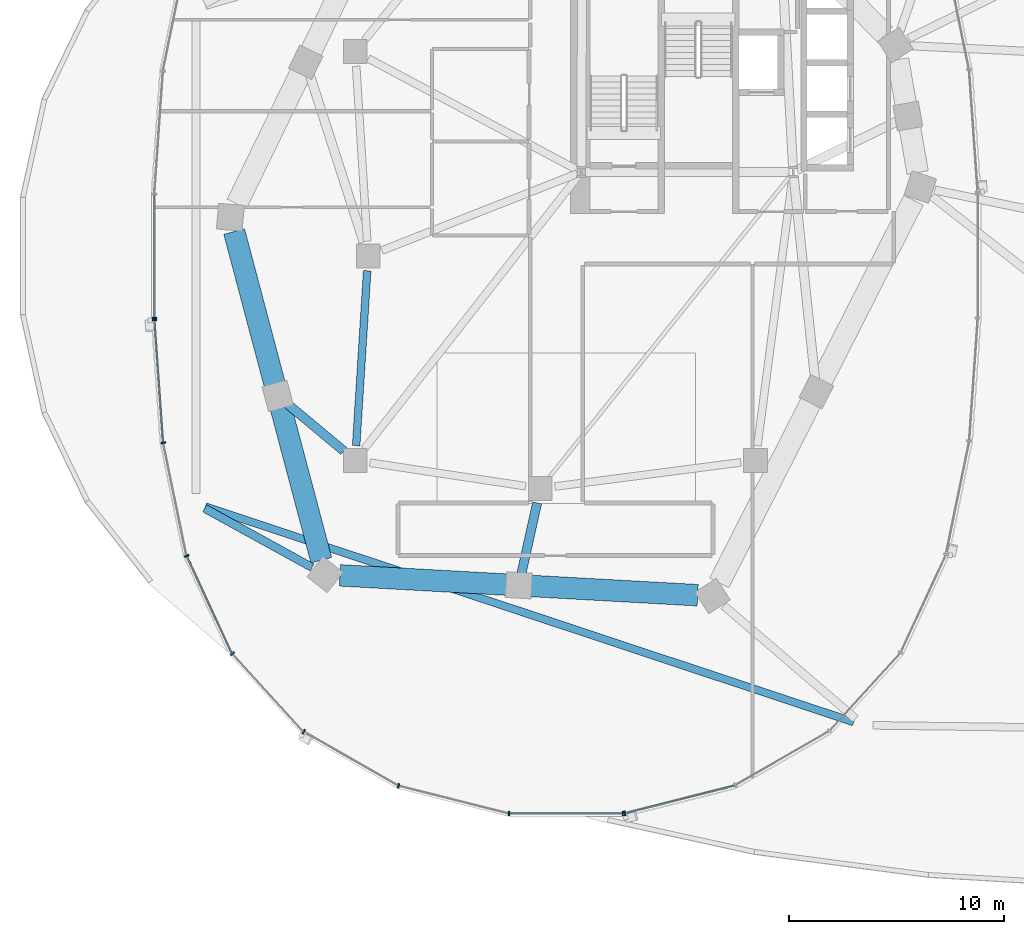
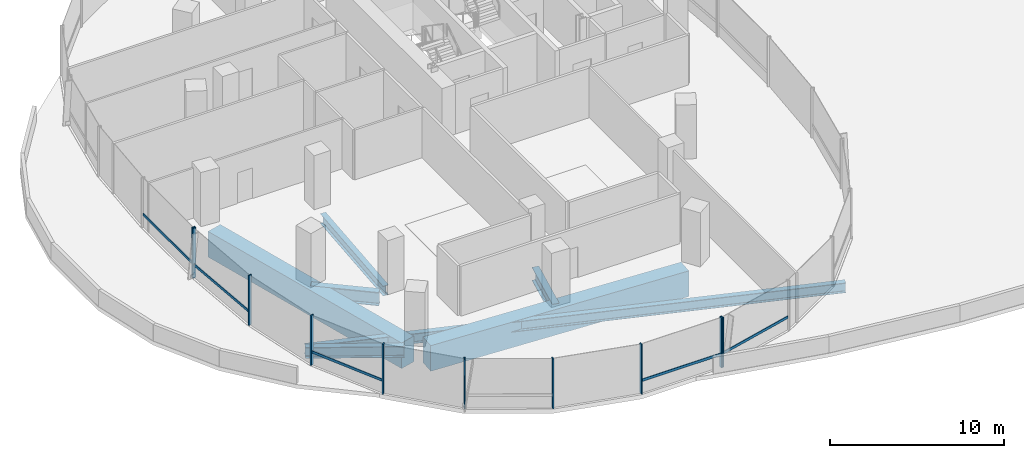
# One storey, part 2 of 28: 15 members, 7 beams, 3 elements without a shape of their own.
"""IFC4 building model written with IfcOpenShell, lengths in metres."""

from ifc_helpers import new_model, si_unit, direction, frame, origin, origin_2d, place, context, subcontext, project, spatial, rectangle, i_section, extrude, material, material_profile, profile_set, type_object, element, aggregate, save


model = new_model("IFC4")

# Units and contexts
model_context = context("Model", 3, precision=1e-05, world=origin(), true_north=direction((0.0, 1.0)))
body_context = subcontext(model_context, "Body", "Model", "MODEL_VIEW")
ifc_project = project(units=[si_unit("LENGTHUNIT", "METRE"), si_unit("AREAUNIT", "SQUARE_METRE"), si_unit("VOLUMEUNIT", "CUBIC_METRE"), si_unit("PLANEANGLEUNIT", "RADIAN"), si_unit("MASSUNIT", "GRAM", prefix="KILO"), si_unit("THERMODYNAMICTEMPERATUREUNIT", "KELVIN"), si_unit("POWERUNIT", "WATT")], contexts=[model_context])

# Site, building, storey
site_placement = place(None, origin())
site = spatial("IfcSite", under=ifc_project, at=site_placement, CompositionType="ELEMENT")
building_placement = place(site_placement, origin())
building = spatial("IfcBuilding", under=site, at=building_placement, Name="Cundina Bronze Exchange", CompositionType="ELEMENT")
storey_placement = place(building_placement, frame((0.0, 0.0, 24.0)))
storey = spatial("IfcBuildingStorey", under=building, at=storey_placement, Name="L05", CompositionType="ELEMENT", Elevation=24.0)

# Beams
ifc_material_1 = material(Name="Steel ASTM A992 Grade 50", Category="steel")
ifc_material_profile_1 = material_profile(ifc_material_1, i_section(OverallWidth=0.35498046875, OverallDepth=0.695068359375, WebThickness=0.015380859375, FlangeThickness=0.02490234375, FilletRadius=0.01806640625, at=origin_2d()), Name="W27X146", Category="steel")
ifc_profile_set_1 = profile_set([ifc_material_profile_1], Name="Steel ASTM A992 Grade 50")
beam_type_1 = type_object("IfcBeamType", Name="BM-RING-W27", PredefinedType="USERDEFINED", material=ifc_profile_set_1)
beam_1_placement = place(storey_placement, frame((-41.243408203125, -0.6865234375, -0.6474609375), z_axis=(-0.063020359641, -0.998012241544, 0.0), x_axis=(0.998012241544, -0.063020359641, 0.0)))
element("IfcBeam", 1, at=beam_1_placement, inside=storey, type_object=beam_type_1, Name="L05 W Inner Structural Ring Girder 04", ObjectType="GIRDER", PredefinedType="USERDEFINED", context=body_context, shape_type="SweptSolid", body=[
    extrude(i_section(OverallWidth=0.35498046875, OverallDepth=0.695068359375, WebThickness=0.015380859375, FlangeThickness=0.02490234375, FilletRadius=0.01806640625, at=origin_2d()), origin(), (0.0, 0.0, 1.0), 8.14306640625),
])
beam_2_placement = place(storey_placement, frame((-48.760498046875, -11.64599609375, -0.652587890625), z_axis=(0.948988221708, -0.315311520656, 0.0), x_axis=(0.315311520656, 0.948988221708, 0.0)))
element("IfcBeam", 2, at=beam_2_placement, inside=storey, type_object=beam_type_1, Name="L05 Podium Roof Edge Girder 06", ObjectType="GIRDER", PredefinedType="USERDEFINED", context=body_context, shape_type="SweptSolid", body=[
    extrude(i_section(OverallWidth=0.35498046875, OverallDepth=0.695068359375, WebThickness=0.015380859375, FlangeThickness=0.02490234375, FilletRadius=0.01806640625, at=origin_2d()), origin(), (0.0, 0.0, 1.0), 31.740234375),
])
ifc_material_profile_2 = material_profile(ifc_material_1, i_section(OverallWidth=0.381103515625, OverallDepth=0.77294921875, WebThickness=0.0166015625, FlangeThickness=0.027099609375, FilletRadius=0.01904296875, at=origin_2d()), Name="W30X173", Category="steel")
ifc_profile_set_2 = profile_set([ifc_material_profile_2], Name="Steel ASTM A992 Grade 50")
beam_type_2 = type_object("IfcBeamType", Name="BM-RING-W30", PredefinedType="USERDEFINED", material=ifc_profile_set_2)
beam_3_placement = place(storey_placement, frame((-48.794189453125, -11.72314453125, -0.69140625), z_axis=(0.876211384386, -0.481926975663, 0.0), x_axis=(0.481926975663, 0.876211384386, 0.0)))
element("IfcBeam", 3, at=beam_3_placement, inside=storey, type_object=beam_type_2, Name="L05 Podium Colonnade Tie Beam 02", ObjectType="GIRDER", PredefinedType="USERDEFINED", context=body_context, shape_type="SweptSolid", body=[
    extrude(i_section(OverallWidth=0.381103515625, OverallDepth=0.77294921875, WebThickness=0.0166015625, FlangeThickness=0.027099609375, FilletRadius=0.01904296875, at=origin_2d()), origin(), (0.0, 0.0, 1.0), 5.696533203125),
])
ifc_material_profile_3 = material_profile(ifc_material_1, i_section(OverallWidth=0.423095703125, OverallDepth=0.947998046875, WebThickness=0.02392578125, FlangeThickness=0.042724609375, FilletRadius=0.02392578125, at=origin_2d()), Name="W36X302", Category="steel")
ifc_profile_set_3 = profile_set([ifc_material_profile_3], Name="Steel ASTM A992 Grade 50")
beam_type_3 = type_object("IfcBeamType", Name="BM-WRN-W36A", PredefinedType="USERDEFINED", material=ifc_profile_set_3)
beam_4_placement = place(storey_placement, frame((-42.32861328125, -9.0595703125, -0.77392578125), z_axis=(-0.768201257817, 0.640208425036, 0.0), x_axis=(-0.640208425036, -0.768201257817, 0.0)))
element("IfcBeam", 4, at=beam_4_placement, inside=storey, type_object=beam_type_3, Name="L05 W Transfer Radial Tie Girder 09", ObjectType="GIRDER", PredefinedType="USERDEFINED", context=body_context, shape_type="SweptSolid", body=[
    extrude(i_section(OverallWidth=0.423095703125, OverallDepth=0.947998046875, WebThickness=0.02392578125, FlangeThickness=0.042724609375, FilletRadius=0.02392578125, at=origin_2d()), origin(), (0.0, 0.0, 1.0), 3.998046875),
])
beam_5_placement = place(storey_placement, frame((-33.34912109375, -11.4716796875, -0.77392578125), z_axis=(-0.216950232122, -0.976182665684, 0.0), x_axis=(0.976182665684, -0.216950232122, 0.0)))
element("IfcBeam", 5, at=beam_5_placement, inside=storey, type_object=beam_type_3, Name="L05 W Transfer Radial Tie Girder 11", ObjectType="GIRDER", PredefinedType="USERDEFINED", context=body_context, shape_type="SweptSolid", body=[
    extrude(i_section(OverallWidth=0.423095703125, OverallDepth=0.947998046875, WebThickness=0.02392578125, FlangeThickness=0.042724609375, FilletRadius=0.02392578125, at=origin_2d()), origin(), (0.0, 0.0, 1.0), 3.921875),
])
ifc_material_2 = material(Name="Concrete C60/75", Category="concrete")
ifc_material_profile_4 = material_profile(ifc_material_2, rectangle(XDim=1.0, YDim=1.800048828125, at=origin_2d()), Name="RC1000X1800", Category="concrete")
ifc_profile_set_4 = profile_set([ifc_material_profile_4], Name="Concrete C60/75")
beam_type_4 = type_object("IfcBeamType", Name="BM-XFER-RC1800", PredefinedType="USERDEFINED", material=ifc_profile_set_4)
beam_6_placement = place(storey_placement, frame((-47.423583984375, 1.135009765625, -1.199951171875), z_axis=(0.256206036219, -0.966622194554, 0.0), x_axis=(0.966622194554, 0.256206036219, 0.0)))
element("IfcBeam", 6, at=beam_6_placement, inside=storey, type_object=beam_type_4, Name="L05 W Podium Perimeter Transfer Girder 08", ObjectType="GIRDER", PredefinedType="USERDEFINED", context=body_context, shape_type="SweptSolid", body=[
    extrude(rectangle(XDim=1.0, YDim=1.800048828125, at=origin_2d()), origin(), (0.0, 0.0, 1.0), 15.79736328125),
])
beam_7_placement = place(storey_placement, frame((-42.51318359375, -14.838134765625, -1.199951171875), z_axis=(0.998460668975, -0.055464335483, 0.0), x_axis=(0.055464335483, 0.998460668975, 0.0)))
element("IfcBeam", 7, at=beam_7_placement, inside=storey, type_object=beam_type_4, Name="L05 W Podium Perimeter Transfer Girder 10", ObjectType="GIRDER", PredefinedType="USERDEFINED", context=body_context, shape_type="SweptSolid", body=[
    extrude(rectangle(XDim=1.0, YDim=1.800048828125, at=origin_2d()), origin(), (0.0, 0.0, 1.0), 16.65185546875),
])

# Curtain wall, member
ifc_material_3 = material(Name="Anodised Bronze Aluminium 6063-T6", Category="aluminium")
curtain_wall_type = type_object("IfcCurtainWallType", Name="CWS-TRD-LOW", PredefinedType="NOTDEFINED", material=ifc_material_3)
curtain_wall_1_placement = place(storey_placement, origin())
curtain_wall_1 = element("IfcCurtainWall", 8, at=curtain_wall_1_placement, inside=storey, type_object=curtain_wall_type, Name="L05 CW-02 Curtain Wall Run CWR-L05-W2", PredefinedType="NOTDEFINED")
ifc_material_profile_5 = material_profile(ifc_material_3, rectangle(XDim=0.074951171875, YDim=0.219970703125, at=origin_2d()), Name="AL75X220", Category="aluminium")
ifc_profile_set_5 = profile_set([ifc_material_profile_5], Name="Anodised Bronze Aluminium 6063-T6")
member_type_1 = type_object("IfcMemberType", Name="CWM-MUL-220", PredefinedType="MULLION", material=ifc_profile_set_5)
member_1_placement = place(storey_placement, frame((-51.1279296875, -2.880615234375, 0.0), z_axis=(0.0, 0.0, 1.0), x_axis=(0.0, -1.0, 0.0)))
member_1 = element("IfcMember", 9, at=member_1_placement, type_object=member_type_1, Name="CW-02 End Mullion", PredefinedType="MULLION", context=body_context, shape_type="SweptSolid", body=[
    extrude(rectangle(XDim=0.074951171875, YDim=0.219970703125, at=origin_2d()), origin(), (0.0, 0.0, 1.0), 3.5),
])

# Curtain wall, members
curtain_wall_2_placement = place(storey_placement, origin())
curtain_wall_2 = element("IfcCurtainWall", 10, at=curtain_wall_2_placement, inside=storey, type_object=curtain_wall_type, Name="L05 CW-02 Curtain Wall Run CWR-L05-W3", PredefinedType="NOTDEFINED")
member_2_placement = place(storey_placement, frame((-51.12451171875, -2.976318359375, 0.0), z_axis=(0.0, 0.0, 1.0), x_axis=(0.070278787473, -0.997527389113, 0.0)))
member_2 = element("IfcMember", 11, at=member_2_placement, type_object=member_type_1, Name="CW-02 Mullion 1", PredefinedType="MULLION", context=body_context, shape_type="SweptSolid", body=[
    extrude(rectangle(XDim=0.074951171875, YDim=0.219970703125, at=origin_2d()), origin(), (0.0, 0.0, 1.0), 3.5),
])
member_3_placement = place(storey_placement, frame((-50.717041015625, -8.67822265625, 0.0), z_axis=(0.0, 0.0, 1.0), x_axis=(0.201419845156, -0.979505000486, 0.0)))
member_3 = element("IfcMember", 12, at=member_3_placement, type_object=member_type_1, Name="CW-02 Mullion 2", PredefinedType="MULLION", context=body_context, shape_type="SweptSolid", body=[
    extrude(rectangle(XDim=0.074951171875, YDim=0.219970703125, at=origin_2d()), origin(), (0.0, 0.0, 1.0), 3.5),
])
member_4_placement = place(storey_placement, frame((-49.6279296875, -13.931884765625, 0.0), z_axis=(0.0, 0.0, 1.0), x_axis=(0.42087749791, -0.907117485088, 0.0)))
member_4 = element("IfcMember", 13, at=member_4_placement, type_object=member_type_1, Name="CW-02 Mullion 3", PredefinedType="MULLION", context=body_context, shape_type="SweptSolid", body=[
    extrude(rectangle(XDim=0.074951171875, YDim=0.219970703125, at=origin_2d()), origin(), (0.0, 0.0, 1.0), 3.5),
])
member_5_placement = place(storey_placement, frame((-47.508544921875, -18.47705078125, 0.0), z_axis=(0.0, 0.0, 1.0), x_axis=(0.674302387584, -0.738455340626, 0.0)))
member_5 = element("IfcMember", 14, at=member_5_placement, type_object=member_type_1, Name="CW-02 Mullion 4", PredefinedType="MULLION", context=body_context, shape_type="SweptSolid", body=[
    extrude(rectangle(XDim=0.074951171875, YDim=0.219970703125, at=origin_2d()), origin(), (0.0, 0.0, 1.0), 3.5),
])
member_6_placement = place(storey_placement, frame((-44.189697265625, -22.097412109375, 0.0), z_axis=(0.0, 0.0, 1.0), x_axis=(0.867070701164, -0.498185105339, 0.0)))
member_6 = element("IfcMember", 15, at=member_6_placement, type_object=member_type_1, Name="CW-02 Mullion 5", PredefinedType="MULLION", context=body_context, shape_type="SweptSolid", body=[
    extrude(rectangle(XDim=0.074951171875, YDim=0.219970703125, at=origin_2d()), origin(), (0.0, 0.0, 1.0), 3.5),
])
member_7_placement = place(storey_placement, frame((-39.78515625, -24.61669921875, 0.0), z_axis=(0.0, 0.0, 1.0), x_axis=(0.969488149345, -0.245138182011, 0.0)))
member_7 = element("IfcMember", 16, at=member_7_placement, type_object=member_type_1, Name="CW-02 Mullion 6", PredefinedType="MULLION", context=body_context, shape_type="SweptSolid", body=[
    extrude(rectangle(XDim=0.074951171875, YDim=0.219970703125, at=origin_2d()), origin(), (0.0, 0.0, 1.0), 3.5),
])
member_8_placement = place(storey_placement, frame((-34.654541015625, -25.905029296875, 0.0), z_axis=(0.0, 0.0, 1.0), x_axis=(1.0, 0.0, 0.0)))
member_8 = element("IfcMember", 17, at=member_8_placement, type_object=member_type_1, Name="CW-02 Mullion 7", PredefinedType="MULLION", context=body_context, shape_type="SweptSolid", body=[
    extrude(rectangle(XDim=0.074951171875, YDim=0.219970703125, at=origin_2d()), origin(), (0.0, 0.0, 1.0), 3.5),
])
member_9_placement = place(storey_placement, frame((-29.345458984375, -25.905029296875, 0.0), z_axis=(0.0, 0.0, 1.0), x_axis=(1.0, 0.0, 0.0)))
member_9 = element("IfcMember", 18, at=member_9_placement, type_object=member_type_1, Name="CW-02 End Mullion", PredefinedType="MULLION", context=body_context, shape_type="SweptSolid", body=[
    extrude(rectangle(XDim=0.074951171875, YDim=0.219970703125, at=origin_2d()), origin(), (0.0, 0.0, 1.0), 3.5),
])

# Curtain wall, member
curtain_wall_3_placement = place(storey_placement, origin())
curtain_wall_3 = element("IfcCurtainWall", 19, at=curtain_wall_3_placement, inside=storey, type_object=curtain_wall_type, Name="L05 CW-02 Curtain Wall Run CWR-L05-W4", PredefinedType="NOTDEFINED")
member_10_placement = place(storey_placement, frame((-29.27392578125, -25.89599609375, 0.0), z_axis=(0.0, 0.0, 1.0), x_axis=(0.969488149345, 0.245138182011, 0.0)))
member_10 = element("IfcMember", 20, at=member_10_placement, type_object=member_type_1, Name="CW-02 Mullion 1", PredefinedType="MULLION", context=body_context, shape_type="SweptSolid", body=[
    extrude(rectangle(XDim=0.074951171875, YDim=0.219970703125, at=origin_2d()), origin(), (0.0, 0.0, 1.0), 3.5),
])

# Member
ifc_material_profile_6 = material_profile(ifc_material_3, rectangle(XDim=0.070068359375, YDim=0.179931640625, at=origin_2d()), Name="AL70X180", Category="aluminium")
ifc_profile_set_6 = profile_set([ifc_material_profile_6], Name="Anodised Bronze Aluminium 6063-T6")
member_type_2 = type_object("IfcMemberType", Name="CWM-TRN-180", PredefinedType="USERDEFINED", material=ifc_profile_set_6)
member_11_placement = place(storey_placement, frame((-51.1279296875, 2.839111328125, 0.919921875), z_axis=(0.0, -1.0, 0.0), x_axis=(1.0, 0.0, 0.0)))
member_11 = element("IfcMember", 21, at=member_11_placement, type_object=member_type_2, Name="CW-02 Spandrel Transom 7", ObjectType="TRANSOM", PredefinedType="USERDEFINED", context=body_context, shape_type="SweptSolid", body=[
    extrude(rectangle(XDim=0.070068359375, YDim=0.179931640625, at=origin_2d()), origin(), (0.0, 0.0, 1.0), 5.67822265625),
])

aggregate(curtain_wall_1, [member_1, member_11])

member_12_placement = place(storey_placement, frame((-51.12158203125, -3.017333984375, 0.919921875), z_axis=(0.070260714471, -0.997528662246, 0.0), x_axis=(0.997528662246, 0.070260714471, 0.0)))
member_12 = element("IfcMember", 22, at=member_12_placement, type_object=member_type_2, Name="CW-02 Spandrel Transom 1", ObjectType="TRANSOM", PredefinedType="USERDEFINED", context=body_context, shape_type="SweptSolid", body=[
    extrude(rectangle(XDim=0.070068359375, YDim=0.179931640625, at=origin_2d()), origin(), (0.0, 0.0, 1.0), 5.629150390625),
])

member_13_placement = place(storey_placement, frame((-49.610595703125, -13.96923828125, 0.919921875), z_axis=(0.420811422796, -0.907148139195, 0.0), x_axis=(0.907148139195, 0.420811422796, 0.0)))
member_13 = element("IfcMember", 23, at=member_13_placement, type_object=member_type_2, Name="CW-02 Spandrel Transom 3", ObjectType="TRANSOM", PredefinedType="USERDEFINED", context=body_context, shape_type="SweptSolid", body=[
    extrude(rectangle(XDim=0.070068359375, YDim=0.179931640625, at=origin_2d()), origin(), (0.0, 0.0, 1.0), 4.95166015625),
])

member_14_placement = place(storey_placement, frame((-34.61328125, -25.905029296875, 0.919921875), z_axis=(1.0, 0.0, 0.0), x_axis=(0.0, 1.0, 0.0)))
member_14 = element("IfcMember", 24, at=member_14_placement, type_object=member_type_2, Name="CW-02 Spandrel Transom 7", ObjectType="TRANSOM", PredefinedType="USERDEFINED", context=body_context, shape_type="SweptSolid", body=[
    extrude(rectangle(XDim=0.070068359375, YDim=0.179931640625, at=origin_2d()), origin(), (0.0, 0.0, 1.0), 5.2265625),
])

aggregate(curtain_wall_2, [member_2, member_12, member_3, member_4, member_13, member_5, member_6, member_7, member_8, member_9, member_14])

member_15_placement = place(storey_placement, frame((-29.23388671875, -25.885986328125, 0.919921875), z_axis=(0.969483968866, 0.245154714644, 0.0), x_axis=(-0.245154714644, 0.969483968866, 0.0)))
member_15 = element("IfcMember", 25, at=member_15_placement, type_object=member_type_2, Name="CW-02 Spandrel Transom 1", ObjectType="TRANSOM", PredefinedType="USERDEFINED", context=body_context, shape_type="SweptSolid", body=[
    extrude(rectangle(XDim=0.070068359375, YDim=0.179931640625, at=origin_2d()), origin(), (0.0, 0.0, 1.0), 5.21826171875),
])

aggregate(curtain_wall_3, [member_10, member_15])

save(model, "model.ifc")
